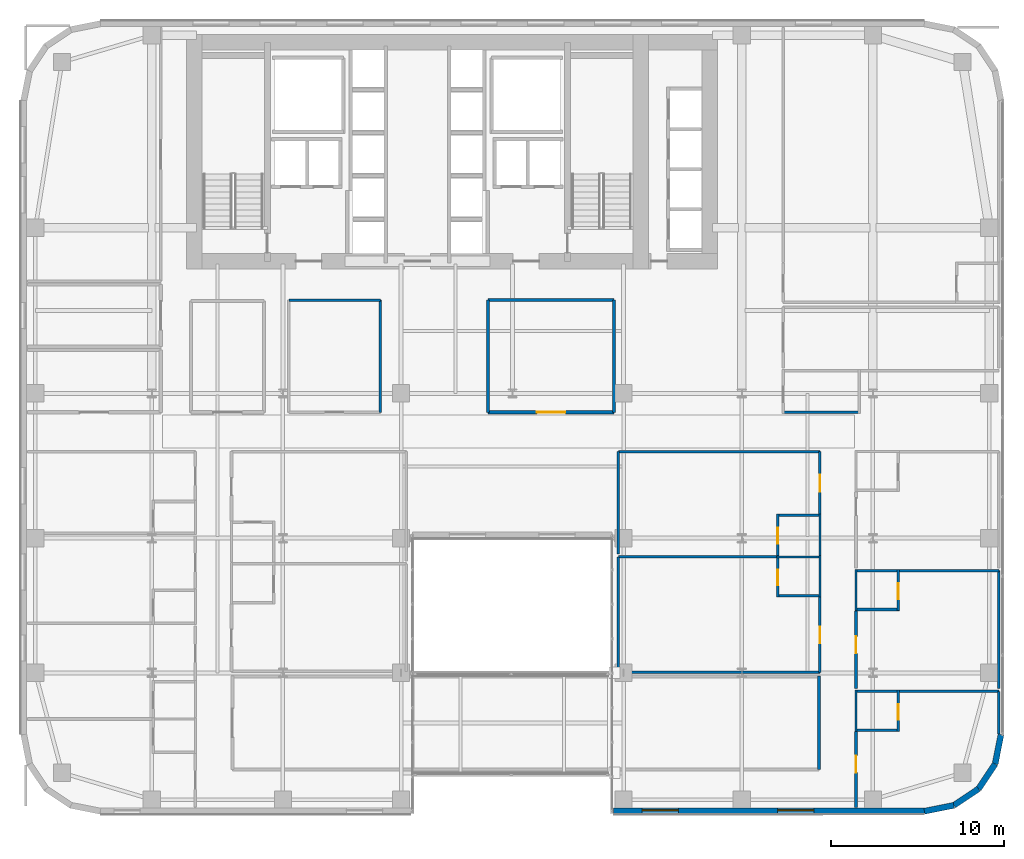
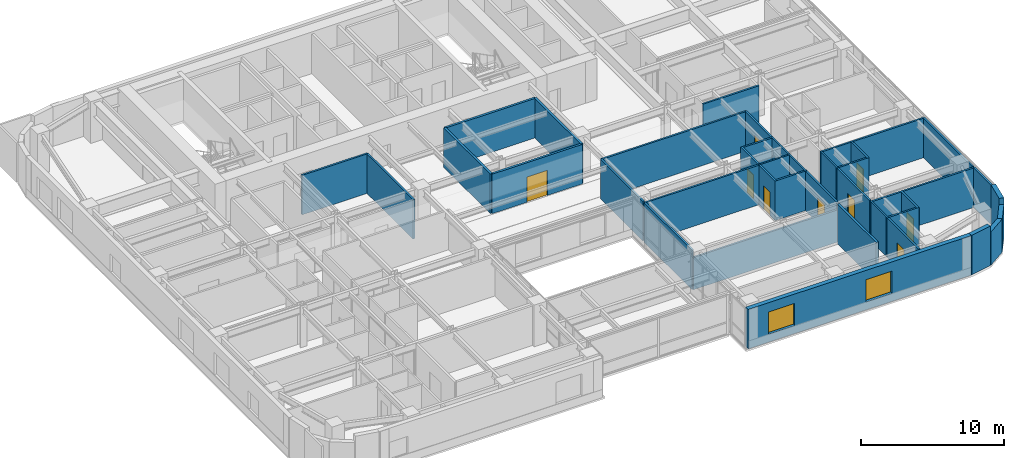
# One storey, part 23 of 31: 41 walls, 9 doors, 2 windows, 11 openings.
"""IFC4 building model written with IfcOpenShell, lengths in metres."""

from ifc_helpers import new_model, si_unit, direction, frame, frame_2d, origin, place, context, subcontext, project, spatial, rectangle, extrude, source, transform, mapped, material, layer, layer_set, type_object, type_shapes, element, fill, save


model = new_model("IFC4")

# Units and contexts
model_context = context("Model", 3, precision=1e-05, world=origin(), true_north=direction((0.0, 1.0)))
body_context = subcontext(model_context, "Body", "Model", "MODEL_VIEW")
ifc_project = project(units=[si_unit("LENGTHUNIT", "METRE"), si_unit("AREAUNIT", "SQUARE_METRE"), si_unit("VOLUMEUNIT", "CUBIC_METRE"), si_unit("PLANEANGLEUNIT", "RADIAN"), si_unit("MASSUNIT", "GRAM", prefix="KILO")], contexts=[model_context])

# Site, building, storey
site_placement = place(None, origin())
site = spatial("IfcSite", under=ifc_project, at=site_placement, CompositionType="ELEMENT")
building_placement = place(site_placement, origin())
building = spatial("IfcBuilding", under=site, at=building_placement, Name="Tolvann Quenvar Hotel", CompositionType="ELEMENT")
storey_placement = place(building_placement, frame((0.0, 0.0, 74.60009765625)))
storey = spatial("IfcBuildingStorey", under=building, at=storey_placement, Name="L18", CompositionType="ELEMENT", Elevation=74.60009765625)

# Wall, openings, windows
ifc_material_1 = material(Name="Kiln-fired red and buff architectural clay brickwork and terracotta masonry", Category="masonry")
ifc_layer_1 = layer(ifc_material_1, 0.35009765625)
ifc_layer_set_1 = layer_set([ifc_layer_1], Name="Kiln-fired red and buff architectural clay brickwork and terracotta masonry")
wall_type_1 = type_object("IfcWallType", Name="WALL_EXT_BRICK_350", PredefinedType="SOLIDWALL", material=ifc_layer_set_1)
wall_1_placement = place(storey_placement, frame((34.375, 0.175048828125, 0.0), z_axis=(0.0, 0.0, 1.0), x_axis=(1.0, 0.0, 0.0)))
wall_1 = element("IfcWall", 1, at=wall_1_placement, inside=storey, type_object=wall_type_1, Name="Exterior Chicago Brick Wall L18-E08", PredefinedType="SOLIDWALL", context=body_context, shape_type="SweptSolid", body=[
    extrude(rectangle(XDim=18.0078125, YDim=0.35009765625, at=frame_2d((9.00390625, 0.0))), origin(), (0.0, 0.0, 1.0), 3.369873046875),
])
opening_1_placement = place(wall_1_placement, frame((1.65087890625, 0.0, 0.679931640625)))
opening_1 = element("IfcOpeningElement", 2, at=opening_1_placement, cuts=wall_1, Name="Opening W-02", PredefinedType="OPENING", context=body_context, shape_type="SweptSolid", body=[
    extrude(rectangle(XDim=2.10009765625, YDim=1.89990234375, at=frame_2d((1.050048828125, 0.949951171875))), frame((0.0, 0.18505859375, 0.0), z_axis=(0.0, -1.0, 0.0), x_axis=(1.0, 0.0, 0.0)), (0.0, 0.0, 1.0), 0.3701171875),
])
opening_2_placement = place(wall_1_placement, frame((9.5048828125, 0.0, 0.679931640625)))
opening_2 = element("IfcOpeningElement", 3, at=opening_2_placement, cuts=wall_1, Name="Opening W-02", PredefinedType="OPENING", context=body_context, shape_type="SweptSolid", body=[
    extrude(rectangle(XDim=2.10009765625, YDim=1.89990234375, at=frame_2d((1.050048828125, 0.949951171875))), frame((0.0, 0.18505859375, 0.0), z_axis=(0.0, -1.0, 0.0), x_axis=(1.0, 0.0, 0.0)), (0.0, 0.0, 1.0), 0.3701171875),
])
ifc_material_2 = material(Name="Thermally broken bronze-anodised aluminium frame with double low-E glazing", Category="aluminium")
window_type = type_object("IfcWindowType", Name="WIN_CHI_2100x2050", PartitioningType="TRIPLE_PANEL_HORIZONTAL", PredefinedType="WINDOW", material=ifc_material_2)
shared_shape_1 = source(origin(), body_context, "Body", "SweptSolid", [
    extrude(rectangle(XDim=2.10009765625, YDim=1.89990234375, at=frame_2d((1.050048828125, 0.949951171875))), frame((0.0, 0.090087890625, 0.0), z_axis=(0.0, -1.0, 0.0), x_axis=(1.0, 0.0, 0.0)), (0.0, 0.0, 1.0), 0.06005859375),
])
type_shapes(window_type, [shared_shape_1])
window_1_placement = place(opening_1_placement, origin())
window_1 = element("IfcWindow", 4, at=window_1_placement, inside=storey, type_object=window_type, Name="Chicago Window W-02 (EW-L18-E08-W01)", OverallHeight=1.89990234375, OverallWidth=2.10009765625, PartitioningType="TRIPLE_PANEL_HORIZONTAL", PredefinedType="WINDOW", context=body_context, shape_type="MappedRepresentation", body=[
    mapped(shared_shape_1, transform((0.0, 0.0, 0.0), x_axis=(1.0, 0.0, 0.0), y_axis=(0.0, 1.0, 0.0), z_axis=(0.0, 0.0, 1.0), scale=1.0)),
])
fill(opening_1, window_1)
window_2_placement = place(opening_2_placement, origin())
window_2 = element("IfcWindow", 5, at=window_2_placement, inside=storey, type_object=window_type, Name="Chicago Window W-02 (EW-L18-E08-W02)", OverallHeight=1.89990234375, OverallWidth=2.10009765625, PartitioningType="TRIPLE_PANEL_HORIZONTAL", PredefinedType="WINDOW", context=body_context, shape_type="MappedRepresentation", body=[
    mapped(shared_shape_1, transform((0.0, 0.0, 0.0), x_axis=(1.0, 0.0, 0.0), y_axis=(0.0, 1.0, 0.0), z_axis=(0.0, 0.0, 1.0), scale=1.0)),
])
fill(opening_2, window_2)

# Walls
wall_2_placement = place(storey_placement, frame((52.3828125, 0.175048828125, 0.0), z_axis=(0.0, 0.0, 1.0), x_axis=(0.980800971659, 0.195011420161, 0.0)))
element("IfcWall", 6, at=wall_2_placement, inside=storey, type_object=wall_type_1, Name="Exterior Chicago Brick Wall L18-E09", PredefinedType="SOLIDWALL", context=body_context, shape_type="SweptSolid", body=[
    extrude(rectangle(XDim=1.74267578125, YDim=0.35009765625, at=frame_2d((0.871337890625, 0.0))), origin(), (0.0, 0.0, 1.0), 3.369873046875),
])
for number, where, z_axis, x_axis, name in (
    (7, (54.092041015625, 0.514892578125, 0.0), (0.0, 0.0, 1.0), (0.831483840845, 0.55554893791, 0.0), "Exterior Chicago Brick Wall L18-E10"),
    (8, (55.526611328125, 1.473388671875, 0.0), (0.0, 0.0, 1.0), (0.55554893791, 0.831483840845, 0.0), "Exterior Chicago Brick Wall L18-E11"),
):
    element("IfcWall", number, at=place(storey_placement, frame(where, z_axis=z_axis, x_axis=x_axis)), inside=storey, type_object=wall_type_1, Name=name, PredefinedType="SOLIDWALL", context=body_context, shape_type="SweptSolid", body=[
        extrude(rectangle(XDim=1.725341796875, YDim=0.35009765625, at=frame_2d((0.86279296875, 0.0))), origin(), (0.0, 0.0, 1.0), 2.831787109375),
    ])
wall_3_placement = place(storey_placement, frame((56.485107421875, 2.907958984375, 0.0), z_axis=(0.0, 0.0, 1.0), x_axis=(0.195011420161, 0.980800971659, 0.0)))
element("IfcWall", 9, at=wall_3_placement, inside=storey, type_object=wall_type_1, Name="Exterior Chicago Brick Wall L18-E12", PredefinedType="SOLIDWALL", context=body_context, shape_type="SweptSolid", body=[
    extrude(rectangle(XDim=1.74267578125, YDim=0.35009765625, at=frame_2d((0.871337890625, 0.0))), origin(), (0.0, 0.0, 1.0), 3.369873046875),
])

# Wall, opening, door
ifc_material_3 = material(Name="Acoustic twin-stud fire-rated gypsum plasterboard partition")
ifc_layer_2 = layer(ifc_material_3, 0.179931640625)
ifc_layer_set_2 = layer_set([ifc_layer_2], Name="Acoustic twin-stud fire-rated gypsum plasterboard partition")
wall_type_2 = type_object("IfcWallType", Name="WALL_PART_ACOUSTIC_180", PredefinedType="PARTITIONING", material=ifc_layer_set_2)
wall_4_placement = place(storey_placement, frame((27.10009765625, 23.300048828125, 0.0), z_axis=(0.0, 0.0, 1.0), x_axis=(1.0, 0.0, 0.0)))
wall_4 = element("IfcWall", 10, at=wall_4_placement, inside=storey, type_object=wall_type_2, Name="Interior Partition PT-SPC-L18-MSP-C-S", PredefinedType="PARTITIONING", context=body_context, shape_type="SweptSolid", body=[
    extrude(rectangle(XDim=7.2998046875, YDim=0.179931640625, at=frame_2d((3.64990234375, 0.0))), origin(), (0.0, 0.0, 1.0), 3.369873046875),
])
opening_3_placement = place(wall_4_placement, frame((2.824951171875, 0.0, 0.0)))
opening_3 = element("IfcOpeningElement", 11, at=opening_3_placement, cuts=wall_4, Name="Opening AD-01", PredefinedType="OPENING", context=body_context, shape_type="SweptSolid", body=[
    extrude(rectangle(XDim=1.64990234375, YDim=2.14990234375, at=frame_2d((0.824951171875, 1.074951171875))), frame((0.0, 0.10009765625, 0.0), z_axis=(0.0, -1.0, 0.0), x_axis=(1.0, 0.0, 0.0)), (0.0, 0.0, 1.0), 0.199951171875),
])
ifc_material_4 = material(Name="Solid-core American oak acoustic fire door leaf in steel frame", Category="steel")
door_type_1 = type_object("IfcDoorType", Name="DOOR_SALON_1650", OperationType="NOTDEFINED", PredefinedType="DOOR", material=ifc_material_4)
shared_shape_2 = source(origin(), body_context, "Body", "SweptSolid", [
    extrude(rectangle(XDim=1.64990234375, YDim=2.14990234375, at=frame_2d((0.824951171875, 1.074951171875))), frame((0.0, 0.02490234375, 0.0), z_axis=(0.0, -1.0, 0.0), x_axis=(1.0, 0.0, 0.0)), (0.0, 0.0, 1.0), 0.050048828125),
])
type_shapes(door_type_1, [shared_shape_2])
door_1_placement = place(opening_3_placement, origin())
door_1 = element("IfcDoor", 12, at=door_1_placement, inside=storey, type_object=door_type_1, Name="Interior Door DOOR-SPC-L18-MSP-C", OperationType="DOUBLE_DOOR_SINGLE_SWING", OverallHeight=2.14990234375, OverallWidth=1.64990234375, PredefinedType="DOOR", context=body_context, shape_type="MappedRepresentation", body=[
    mapped(shared_shape_2, transform((0.0, 0.0, 0.0), x_axis=(1.0, 0.0, 0.0), y_axis=(0.0, 1.0, 0.0), z_axis=(0.0, 0.0, 1.0), scale=1.0)),
])
fill(opening_3, door_1)

# Walls
wall_5_placement = place(storey_placement, frame((27.10009765625, 29.800048828125, 0.0), z_axis=(0.0, 0.0, 1.0), x_axis=(1.0, 0.0, 0.0)))
element("IfcWall", 13, at=wall_5_placement, inside=storey, type_object=wall_type_2, Name="Interior Partition PT-SPC-L18-MSP-C-N", PredefinedType="PARTITIONING", context=body_context, shape_type="SweptSolid", body=[
    extrude(rectangle(XDim=7.2998046875, YDim=0.179931640625, at=frame_2d((3.64990234375, 0.0))), origin(), (0.0, 0.0, 1.0), 3.369873046875),
])
for number, where, z_axis, x_axis, name in (
    (14, (27.10009765625, 23.300048828125, 0.0), (0.0, 0.0, 1.0), (0.0, 1.0, 0.0), "Interior Partition PT-SPC-L18-MSP-C-W"),
    (15, (34.39990234375, 23.300048828125, 0.0), (0.0, 0.0, 1.0), (0.0, 1.0, 0.0), "Interior Partition PT-SPC-L18-MSP-C-E"),
):
    element("IfcWall", number, at=place(storey_placement, frame(where, z_axis=z_axis, x_axis=x_axis)), inside=storey, type_object=wall_type_2, Name=name, PredefinedType="PARTITIONING", context=body_context, shape_type="SweptSolid", body=[
        extrude(rectangle(XDim=6.5, YDim=0.179931640625, at=frame_2d((3.25, 0.0))), origin(), (0.0, 0.0, 1.0), 3.369873046875),
    ])
wall_6_placement = place(storey_placement, frame((46.280029296875, 2.60009765625, 0.0), z_axis=(0.0, 0.0, 1.0), x_axis=(0.0, 1.0, 0.0)))
element("IfcWall", 16, at=wall_6_placement, inside=storey, type_object=wall_type_2, Name="Interior Partition PT-SPC-L18-BRG-E", PredefinedType="PARTITIONING", context=body_context, shape_type="SweptSolid", body=[
    extrude(rectangle(XDim=5.39990234375, YDim=0.179931640625, at=frame_2d((2.699951171875, 0.0))), origin(), (0.0, 0.0, 1.0), 3.369873046875),
])
ifc_material_5 = material(Name="Moisture-resistant acoustic plumbing wall assembly")
ifc_layer_3 = layer(ifc_material_5, 0.1201171875)
ifc_layer_set_3 = layer_set([ifc_layer_3], Name="Moisture-resistant acoustic plumbing wall assembly")
wall_type_3 = type_object("IfcWallType", Name="WALL_PART_BATH_120", PredefinedType="PLUMBINGWALL", material=ifc_layer_set_3)
wall_7_placement = place(storey_placement, frame((43.81005859375, 14.919921875, 0.0), z_axis=(0.0, 0.0, 1.0), x_axis=(1.0, 0.0, 0.0)))
element("IfcWall", 17, at=wall_7_placement, inside=storey, type_object=wall_type_3, Name="Non-Rated Plumbing Partition PT-SPC-L18-ENS-EI01-N", PredefinedType="PLUMBINGWALL", context=body_context, shape_type="SweptSolid", body=[
    extrude(rectangle(XDim=2.58984375, YDim=0.1201171875, at=frame_2d((1.294921875, 0.0))), origin(), (0.0, 0.0, 1.0), 3.369873046875),
])
for number, where, z_axis, x_axis, name in (
    (18, (46.330078125, 12.60009765625, 0.0), (0.0, 0.0, 1.0), (0.0, 1.0, 0.0), "Non-Rated Plumbing Partition PT-SPC-L18-ENS-EI01-E"),
    (19, (46.330078125, 15.010009765625, 0.0), (0.0, 0.0, 1.0), (0.0, 1.0, 0.0), "Non-Rated Plumbing Partition PT-SPC-L18-ENS-EI02-E"),
    (20, (48.419921875, 4.800048828125, 0.0), (0.0, 0.0, 1.0), (0.0, 1.0, 0.0), "Non-Rated Plumbing Partition PT-SPC-L18-ENS-EO01-W"),
    (21, (48.419921875, 11.800048828125, 0.0), (0.0, 0.0, 1.0), (0.0, 1.0, 0.0), "Non-Rated Plumbing Partition PT-SPC-L18-ENS-EO02-W"),
):
    element("IfcWall", number, at=place(storey_placement, frame(where, z_axis=z_axis, x_axis=x_axis)), inside=storey, type_object=wall_type_3, Name=name, PredefinedType="PLUMBINGWALL", context=body_context, shape_type="SweptSolid", body=[
        extrude(rectangle(XDim=2.389892578125, YDim=0.1201171875, at=frame_2d((1.19482421875, 0.0))), origin(), (0.0, 0.0, 1.0), 3.369873046875),
    ])

# Wall, opening, door
ifc_layer_4 = layer(ifc_material_3, 0.14990234375)
ifc_layer_set_4 = layer_set([ifc_layer_4], Name="Acoustic twin-stud fire-rated gypsum plasterboard partition")
wall_type_4 = type_object("IfcWallType", Name="WALL_PART_SUITE_150", PredefinedType="PARTITIONING", material=ifc_layer_set_4)
wall_8_placement = place(storey_placement, frame((43.8798828125, 12.60009765625, 0.0), z_axis=(0.0, 0.0, 1.0), x_axis=(0.0, 1.0, 0.0)))
wall_8 = element("IfcWall", 22, at=wall_8_placement, inside=storey, type_object=wall_type_4, Name="Interior Partition PT-SPC-L18-ENS-EI01-ENT", PredefinedType="PARTITIONING", context=body_context, shape_type="SweptSolid", body=[
    extrude(rectangle(XDim=2.389892578125, YDim=0.14990234375, at=frame_2d((1.19482421875, 0.0))), origin(), (0.0, 0.0, 1.0), 3.369873046875),
])
opening_4_placement = place(wall_8_placement, frame((0.6650390625, 0.0, 0.0)))
opening_4 = element("IfcOpeningElement", 23, at=opening_4_placement, cuts=wall_8, Name="Opening WD-01", PredefinedType="OPENING", context=body_context, shape_type="SweptSolid", body=[
    extrude(rectangle(XDim=0.919921875, YDim=2.010009765625, at=frame_2d((0.4599609375, 1.0048828125))), frame((0.0, 0.0849609375, 0.0), z_axis=(0.0, -1.0, 0.0), x_axis=(1.0, 0.0, 0.0)), (0.0, 0.0, 1.0), 0.169921875),
])
door_type_2 = type_object("IfcDoorType", Name="DOOR_WC_920", OperationType="NOTDEFINED", PredefinedType="DOOR", material=ifc_material_4)
shared_shape_3 = source(origin(), body_context, "Body", "SweptSolid", [
    extrude(rectangle(XDim=0.919921875, YDim=2.010009765625, at=frame_2d((0.4599609375, 1.0048828125))), frame((0.0, 0.02490234375, 0.0), z_axis=(0.0, -1.0, 0.0), x_axis=(1.0, 0.0, 0.0)), (0.0, 0.0, 1.0), 0.050048828125),
])
type_shapes(door_type_2, [shared_shape_3])
door_2_placement = place(opening_4_placement, origin())
door_2 = element("IfcDoor", 24, at=door_2_placement, inside=storey, type_object=door_type_2, Name="Interior Door DOOR-SPC-L18-ENS-EI01", OperationType="SINGLE_SWING_RIGHT", OverallHeight=2.010009765625, OverallWidth=0.919921875, PredefinedType="DOOR", context=body_context, shape_type="MappedRepresentation", body=[
    mapped(shared_shape_3, transform((0.0, 0.0, 0.0), x_axis=(1.0, 0.0, 0.0), y_axis=(0.0, 1.0, 0.0), z_axis=(0.0, 0.0, 1.0), scale=1.0)),
])
fill(opening_4, door_2)

# Wall
wall_9_placement = place(storey_placement, frame((43.81005859375, 12.669921875, 0.0), z_axis=(0.0, 0.0, 1.0), x_axis=(1.0, 0.0, 0.0)))
element("IfcWall", 25, at=wall_9_placement, inside=storey, type_object=wall_type_4, Name="Interior Partition PT-SPC-L18-ENS-EI01-S", PredefinedType="PARTITIONING", context=body_context, shape_type="SweptSolid", body=[
    extrude(rectangle(XDim=2.58984375, YDim=0.14990234375, at=frame_2d((1.294921875, 0.0))), origin(), (0.0, 0.0, 1.0), 3.369873046875),
])

# Wall, opening, door
wall_10_placement = place(storey_placement, frame((43.8798828125, 15.010009765625, 0.0), z_axis=(0.0, 0.0, 1.0), x_axis=(0.0, 1.0, 0.0)))
wall_10 = element("IfcWall", 26, at=wall_10_placement, inside=storey, type_object=wall_type_4, Name="Interior Partition PT-SPC-L18-ENS-EI02-ENT", PredefinedType="PARTITIONING", context=body_context, shape_type="SweptSolid", body=[
    extrude(rectangle(XDim=2.389892578125, YDim=0.14990234375, at=frame_2d((1.19482421875, 0.0))), origin(), (0.0, 0.0, 1.0), 3.369873046875),
])
opening_5_placement = place(wall_10_placement, frame((0.6650390625, 0.0, 0.0)))
opening_5 = element("IfcOpeningElement", 27, at=opening_5_placement, cuts=wall_10, Name="Opening WD-01", PredefinedType="OPENING", context=body_context, shape_type="SweptSolid", body=[
    extrude(rectangle(XDim=0.919921875, YDim=2.010009765625, at=frame_2d((0.4599609375, 1.0048828125))), frame((0.0, 0.0849609375, 0.0), z_axis=(0.0, -1.0, 0.0), x_axis=(1.0, 0.0, 0.0)), (0.0, 0.0, 1.0), 0.169921875),
])
door_3_placement = place(opening_5_placement, origin())
door_3 = element("IfcDoor", 28, at=door_3_placement, inside=storey, type_object=door_type_2, Name="Interior Door DOOR-SPC-L18-ENS-EI02", OperationType="SINGLE_SWING_LEFT", OverallHeight=2.010009765625, OverallWidth=0.919921875, PredefinedType="DOOR", context=body_context, shape_type="MappedRepresentation", body=[
    mapped(shared_shape_3, transform((0.0, 0.0, 0.0), x_axis=(1.0, 0.0, 0.0), y_axis=(0.0, 1.0, 0.0), z_axis=(0.0, 0.0, 1.0), scale=1.0)),
])
fill(opening_5, door_3)

# Wall
wall_11_placement = place(storey_placement, frame((43.81005859375, 17.330078125, 0.0), z_axis=(0.0, 0.0, 1.0), x_axis=(1.0, 0.0, 0.0)))
element("IfcWall", 29, at=wall_11_placement, inside=storey, type_object=wall_type_4, Name="Interior Partition PT-SPC-L18-ENS-EI02-N", PredefinedType="PARTITIONING", context=body_context, shape_type="SweptSolid", body=[
    extrude(rectangle(XDim=2.58984375, YDim=0.14990234375, at=frame_2d((1.294921875, 0.0))), origin(), (0.0, 0.0, 1.0), 3.369873046875),
])

# Wall, opening, door
wall_12_placement = place(storey_placement, frame((50.8701171875, 4.800048828125, 0.0), z_axis=(0.0, 0.0, 1.0), x_axis=(0.0, 1.0, 0.0)))
wall_12 = element("IfcWall", 30, at=wall_12_placement, inside=storey, type_object=wall_type_4, Name="Interior Partition PT-SPC-L18-ENS-EO01-ENT", PredefinedType="PARTITIONING", context=body_context, shape_type="SweptSolid", body=[
    extrude(rectangle(XDim=2.389892578125, YDim=0.14990234375, at=frame_2d((1.19482421875, 0.0))), origin(), (0.0, 0.0, 1.0), 3.369873046875),
])
opening_6_placement = place(wall_12_placement, frame((0.6650390625, 0.0, 0.0)))
opening_6 = element("IfcOpeningElement", 31, at=opening_6_placement, cuts=wall_12, Name="Opening WD-01", PredefinedType="OPENING", context=body_context, shape_type="SweptSolid", body=[
    extrude(rectangle(XDim=0.919921875, YDim=2.010009765625, at=frame_2d((0.4599609375, 1.0048828125))), frame((0.0, 0.0849609375, 0.0), z_axis=(0.0, -1.0, 0.0), x_axis=(1.0, 0.0, 0.0)), (0.0, 0.0, 1.0), 0.169921875),
])
door_4_placement = place(opening_6_placement, origin())
door_4 = element("IfcDoor", 32, at=door_4_placement, inside=storey, type_object=door_type_2, Name="Interior Door DOOR-SPC-L18-ENS-EO01", OperationType="SINGLE_SWING_RIGHT", OverallHeight=2.010009765625, OverallWidth=0.919921875, PredefinedType="DOOR", context=body_context, shape_type="MappedRepresentation", body=[
    mapped(shared_shape_3, transform((0.0, 0.0, 0.0), x_axis=(1.0, 0.0, 0.0), y_axis=(0.0, 1.0, 0.0), z_axis=(0.0, 0.0, 1.0), scale=1.0)),
])
fill(opening_6, door_4)

# Walls
for number, where, z_axis, x_axis, name in (
    (33, (48.35009765625, 4.8701171875, 0.0), (0.0, 0.0, 1.0), (1.0, 0.0, 0.0), "Interior Partition PT-SPC-L18-ENS-EO01-S"),
    (34, (48.35009765625, 7.1201171875, 0.0), (0.0, 0.0, 1.0), (1.0, 0.0, 0.0), "Interior Partition PT-SPC-L18-ENS-EO01-N"),
):
    element("IfcWall", number, at=place(storey_placement, frame(where, z_axis=z_axis, x_axis=x_axis)), inside=storey, type_object=wall_type_4, Name=name, PredefinedType="PARTITIONING", context=body_context, shape_type="SweptSolid", body=[
        extrude(rectangle(XDim=2.58984375, YDim=0.14990234375, at=frame_2d((1.294921875, 0.0))), origin(), (0.0, 0.0, 1.0), 3.369873046875),
    ])

# Wall, opening, door
wall_13_placement = place(storey_placement, frame((50.8701171875, 11.800048828125, 0.0), z_axis=(0.0, 0.0, 1.0), x_axis=(0.0, 1.0, 0.0)))
wall_13 = element("IfcWall", 35, at=wall_13_placement, inside=storey, type_object=wall_type_4, Name="Interior Partition PT-SPC-L18-ENS-EO02-ENT", PredefinedType="PARTITIONING", context=body_context, shape_type="SweptSolid", body=[
    extrude(rectangle(XDim=2.389892578125, YDim=0.14990234375, at=frame_2d((1.19482421875, 0.0))), origin(), (0.0, 0.0, 1.0), 3.369873046875),
])
opening_7_placement = place(wall_13_placement, frame((0.6650390625, 0.0, 0.0)))
opening_7 = element("IfcOpeningElement", 36, at=opening_7_placement, cuts=wall_13, Name="Opening WD-01", PredefinedType="OPENING", context=body_context, shape_type="SweptSolid", body=[
    extrude(rectangle(XDim=0.919921875, YDim=2.010009765625, at=frame_2d((0.4599609375, 1.0048828125))), frame((0.0, 0.0849609375, 0.0), z_axis=(0.0, -1.0, 0.0), x_axis=(1.0, 0.0, 0.0)), (0.0, 0.0, 1.0), 0.169921875),
])
door_5_placement = place(opening_7_placement, origin())
door_5 = element("IfcDoor", 37, at=door_5_placement, inside=storey, type_object=door_type_2, Name="Interior Door DOOR-SPC-L18-ENS-EO02", OperationType="SINGLE_SWING_LEFT", OverallHeight=2.010009765625, OverallWidth=0.919921875, PredefinedType="DOOR", context=body_context, shape_type="MappedRepresentation", body=[
    mapped(shared_shape_3, transform((0.0, 0.0, 0.0), x_axis=(1.0, 0.0, 0.0), y_axis=(0.0, 1.0, 0.0), z_axis=(0.0, 0.0, 1.0), scale=1.0)),
])
fill(opening_7, door_5)

# Walls
for number, where, z_axis, x_axis, name in (
    (38, (48.35009765625, 11.8701171875, 0.0), (0.0, 0.0, 1.0), (1.0, 0.0, 0.0), "Interior Partition PT-SPC-L18-ENS-EO02-S"),
    (39, (48.35009765625, 14.1201171875, 0.0), (0.0, 0.0, 1.0), (1.0, 0.0, 0.0), "Interior Partition PT-SPC-L18-ENS-EO02-N"),
):
    element("IfcWall", number, at=place(storey_placement, frame(where, z_axis=z_axis, x_axis=x_axis)), inside=storey, type_object=wall_type_4, Name=name, PredefinedType="PARTITIONING", context=body_context, shape_type="SweptSolid", body=[
        extrude(rectangle(XDim=2.58984375, YDim=0.14990234375, at=frame_2d((1.294921875, 0.0))), origin(), (0.0, 0.0, 1.0), 3.369873046875),
    ])

# Wall, opening, door
wall_14_placement = place(storey_placement, frame((46.330078125, 8.22998046875, 0.0), z_axis=(0.0, 0.0, 1.0), x_axis=(0.0, 1.0, 0.0)))
wall_14 = element("IfcWall", 40, at=wall_14_placement, inside=storey, type_object=wall_type_4, Name="Interior Partition PT-SPC-L18-RM-EI01-ENT", PredefinedType="PARTITIONING", context=body_context, shape_type="SweptSolid", body=[
    extrude(rectangle(XDim=4.360107421875, YDim=0.14990234375, at=frame_2d((2.18017578125, 0.0))), origin(), (0.0, 0.0, 1.0), 3.369873046875),
])
opening_8_placement = place(wall_14_placement, frame((1.669921875, 0.0, 0.0)))
opening_8 = element("IfcOpeningElement", 41, at=opening_8_placement, cuts=wall_14, Name="Opening SD-01", PredefinedType="OPENING", context=body_context, shape_type="SweptSolid", body=[
    extrude(rectangle(XDim=0.97998046875, YDim=2.1201171875, at=frame_2d((0.489990234375, 1.06005859375))), frame((0.0, 0.0849609375, 0.0), z_axis=(0.0, -1.0, 0.0), x_axis=(1.0, 0.0, 0.0)), (0.0, 0.0, 1.0), 0.169921875),
])
door_type_3 = type_object("IfcDoorType", Name="DOOR_SUITE_980", OperationType="NOTDEFINED", PredefinedType="DOOR", material=ifc_material_4)
shared_shape_4 = source(origin(), body_context, "Body", "SweptSolid", [
    extrude(rectangle(XDim=0.97998046875, YDim=2.1201171875, at=frame_2d((0.489990234375, 1.06005859375))), frame((0.0, 0.02490234375, 0.0), z_axis=(0.0, -1.0, 0.0), x_axis=(1.0, 0.0, 0.0)), (0.0, 0.0, 1.0), 0.050048828125),
])
type_shapes(door_type_3, [shared_shape_4])
door_6_placement = place(opening_8_placement, origin())
door_6 = element("IfcDoor", 42, at=door_6_placement, inside=storey, type_object=door_type_3, Name="Interior Door DOOR-SPC-L18-RM-EI01", OperationType="SINGLE_SWING_RIGHT", OverallHeight=2.1201171875, OverallWidth=0.97998046875, PredefinedType="DOOR", context=body_context, shape_type="MappedRepresentation", body=[
    mapped(shared_shape_4, transform((0.0, 0.0, 0.0), x_axis=(1.0, 0.0, 0.0), y_axis=(0.0, 1.0, 0.0), z_axis=(0.0, 0.0, 1.0), scale=1.0)),
])
fill(opening_8, door_6)

# Walls
wall_15_placement = place(storey_placement, frame((34.64990234375, 8.22998046875, 0.0), z_axis=(0.0, 0.0, 1.0), x_axis=(1.0, 0.0, 0.0)))
element("IfcWall", 43, at=wall_15_placement, inside=storey, type_object=wall_type_4, Name="Interior Partition PT-SPC-L18-RM-EI01-E1", PredefinedType="PARTITIONING", context=body_context, shape_type="SweptSolid", body=[
    extrude(rectangle(XDim=11.68017578125, YDim=0.14990234375, at=frame_2d((5.840087890625, 0.0))), origin(), (0.0, 0.0, 1.0), 2.747802734375),
])
wall_16_placement = place(storey_placement, frame((34.64990234375, 14.919921875, 0.0), z_axis=(0.0, 0.0, 1.0), x_axis=(1.0, 0.0, 0.0)))
element("IfcWall", 44, at=wall_16_placement, inside=storey, type_object=wall_type_4, Name="Interior Partition PT-SPC-L18-RM-EI01-E5", PredefinedType="PARTITIONING", context=body_context, shape_type="SweptSolid", body=[
    extrude(rectangle(XDim=9.210205078125, YDim=0.14990234375, at=frame_2d((4.60498046875, 0.0))), origin(), (0.0, 0.0, 1.0), 3.369873046875),
])
wall_17_placement = place(storey_placement, frame((34.64990234375, 8.22998046875, 0.0), z_axis=(0.0, 0.0, 1.0), x_axis=(0.0, 1.0, 0.0)))
element("IfcWall", 45, at=wall_17_placement, inside=storey, type_object=wall_type_4, Name="Interior Partition PT-SPC-L18-RM-EI01-E6", PredefinedType="PARTITIONING", context=body_context, shape_type="SweptSolid", body=[
    extrude(rectangle(XDim=6.68994140625, YDim=0.14990234375, at=frame_2d((3.344970703125, 0.0))), origin(), (0.0, 0.0, 1.0), 3.369873046875),
])

# Wall, opening, door
wall_18_placement = place(storey_placement, frame((46.330078125, 17.409912109375, 0.0), z_axis=(0.0, 0.0, 1.0), x_axis=(0.0, 1.0, 0.0)))
wall_18 = element("IfcWall", 46, at=wall_18_placement, inside=storey, type_object=wall_type_4, Name="Interior Partition PT-SPC-L18-RM-EI02-ENT", PredefinedType="PARTITIONING", context=body_context, shape_type="SweptSolid", body=[
    extrude(rectangle(XDim=3.610107421875, YDim=0.14990234375, at=frame_2d((1.80517578125, 0.0))), origin(), (0.0, 0.0, 1.0), 3.369873046875),
])
opening_9_placement = place(wall_18_placement, frame((1.294921875, 0.0, 0.0)))
opening_9 = element("IfcOpeningElement", 47, at=opening_9_placement, cuts=wall_18, Name="Opening SD-01", PredefinedType="OPENING", context=body_context, shape_type="SweptSolid", body=[
    extrude(rectangle(XDim=0.97998046875, YDim=2.1201171875, at=frame_2d((0.489990234375, 1.06005859375))), frame((0.0, 0.0849609375, 0.0), z_axis=(0.0, -1.0, 0.0), x_axis=(1.0, 0.0, 0.0)), (0.0, 0.0, 1.0), 0.169921875),
])
door_7_placement = place(opening_9_placement, origin())
door_7 = element("IfcDoor", 48, at=door_7_placement, inside=storey, type_object=door_type_3, Name="Interior Door DOOR-SPC-L18-RM-EI02", OperationType="SINGLE_SWING_LEFT", OverallHeight=2.1201171875, OverallWidth=0.97998046875, PredefinedType="DOOR", context=body_context, shape_type="MappedRepresentation", body=[
    mapped(shared_shape_4, transform((0.0, 0.0, 0.0), x_axis=(1.0, 0.0, 0.0), y_axis=(0.0, 1.0, 0.0), z_axis=(0.0, 0.0, 1.0), scale=1.0)),
])
fill(opening_9, door_7)

# Walls
wall_19_placement = place(storey_placement, frame((34.64990234375, 21.02001953125, 0.0), z_axis=(0.0, 0.0, 1.0), x_axis=(1.0, 0.0, 0.0)))
element("IfcWall", 49, at=wall_19_placement, inside=storey, type_object=wall_type_4, Name="Interior Partition PT-SPC-L18-RM-EI02-E5", PredefinedType="PARTITIONING", context=body_context, shape_type="SweptSolid", body=[
    extrude(rectangle(XDim=11.68017578125, YDim=0.14990234375, at=frame_2d((5.840087890625, 0.0))), origin(), (0.0, 0.0, 1.0), 3.369873046875),
])
wall_20_placement = place(storey_placement, frame((34.64990234375, 15.080078125, 0.0), z_axis=(0.0, 0.0, 1.0), x_axis=(0.0, 1.0, 0.0)))
element("IfcWall", 50, at=wall_20_placement, inside=storey, type_object=wall_type_4, Name="Interior Partition PT-SPC-L18-RM-EI02-E6", PredefinedType="PARTITIONING", context=body_context, shape_type="SweptSolid", body=[
    extrude(rectangle(XDim=5.93994140625, YDim=0.14990234375, at=frame_2d((2.969970703125, 0.0))), origin(), (0.0, 0.0, 1.0), 3.369873046875),
])

# Wall, opening, door
wall_21_placement = place(storey_placement, frame((48.419921875, 0.405029296875, 0.0), z_axis=(0.0, 0.0, 1.0), x_axis=(0.0, 1.0, 0.0)))
wall_21 = element("IfcWall", 51, at=wall_21_placement, inside=storey, type_object=wall_type_4, Name="Interior Partition PT-SPC-L18-RM-EO01-ENT", PredefinedType="PARTITIONING", context=body_context, shape_type="SweptSolid", body=[
    extrude(rectangle(XDim=4.385009765625, YDim=0.14990234375, at=frame_2d((2.1923828125, 0.0))), origin(), (0.0, 0.0, 1.0), 3.369873046875),
])
opening_10_placement = place(wall_21_placement, frame((2.010009765625, 0.0, 0.0)))
opening_10 = element("IfcOpeningElement", 52, at=opening_10_placement, cuts=wall_21, Name="Opening SD-01", PredefinedType="OPENING", context=body_context, shape_type="SweptSolid", body=[
    extrude(rectangle(XDim=0.97998046875, YDim=2.1201171875, at=frame_2d((0.489990234375, 1.06005859375))), frame((0.0, 0.0849609375, 0.0), z_axis=(0.0, -1.0, 0.0), x_axis=(1.0, 0.0, 0.0)), (0.0, 0.0, 1.0), 0.169921875),
])
door_8_placement = place(opening_10_placement, origin())
door_8 = element("IfcDoor", 53, at=door_8_placement, inside=storey, type_object=door_type_3, Name="Interior Door DOOR-SPC-L18-RM-EO01", OperationType="SINGLE_SWING_RIGHT", OverallHeight=2.1201171875, OverallWidth=0.97998046875, PredefinedType="DOOR", context=body_context, shape_type="MappedRepresentation", body=[
    mapped(shared_shape_4, transform((0.0, 0.0, 0.0), x_axis=(1.0, 0.0, 0.0), y_axis=(0.0, 1.0, 0.0), z_axis=(0.0, 0.0, 1.0), scale=1.0)),
])
fill(opening_10, door_8)

# Walls
wall_22_placement = place(storey_placement, frame((56.699951171875, 4.64208984375, 0.0), z_axis=(0.0, 0.0, 1.0), x_axis=(0.0, 1.0, 0.0)))
element("IfcWall", 54, at=wall_22_placement, inside=storey, type_object=wall_type_4, Name="Interior Partition PT-SPC-L18-RM-EO01-E2", PredefinedType="PARTITIONING", context=body_context, shape_type="SweptSolid", body=[
    extrude(rectangle(XDim=2.47802734375, YDim=0.14990234375, at=frame_2d((1.239013671875, 0.0))), origin(), (0.0, 0.0, 1.0), 3.369873046875),
])
wall_23_placement = place(storey_placement, frame((50.889892578125, 7.1201171875, 0.0), z_axis=(0.0, 0.0, 1.0), x_axis=(1.0, 0.0, 0.0)))
element("IfcWall", 55, at=wall_23_placement, inside=storey, type_object=wall_type_4, Name="Interior Partition PT-SPC-L18-RM-EO01-E3", PredefinedType="PARTITIONING", context=body_context, shape_type="SweptSolid", body=[
    extrude(rectangle(XDim=5.81005859375, YDim=0.14990234375, at=frame_2d((2.905029296875, 0.0))), origin(), (0.0, 0.0, 1.0), 3.369873046875),
])

# Wall, opening, door
wall_24_placement = place(storey_placement, frame((48.419921875, 7.280029296875, 0.0), z_axis=(0.0, 0.0, 1.0), x_axis=(0.0, 1.0, 0.0)))
wall_24 = element("IfcWall", 56, at=wall_24_placement, inside=storey, type_object=wall_type_4, Name="Interior Partition PT-SPC-L18-RM-EO02-ENT", PredefinedType="PARTITIONING", context=body_context, shape_type="SweptSolid", body=[
    extrude(rectangle(XDim=4.510009765625, YDim=0.14990234375, at=frame_2d((2.2548828125, 0.0))), origin(), (0.0, 0.0, 1.0), 3.369873046875),
])
opening_11_placement = place(wall_24_placement, frame((2.044921875, 0.0, 0.0)))
opening_11 = element("IfcOpeningElement", 57, at=opening_11_placement, cuts=wall_24, Name="Opening SD-01", PredefinedType="OPENING", context=body_context, shape_type="SweptSolid", body=[
    extrude(rectangle(XDim=0.97998046875, YDim=2.1201171875, at=frame_2d((0.489990234375, 1.06005859375))), frame((0.0, 0.0849609375, 0.0), z_axis=(0.0, -1.0, 0.0), x_axis=(1.0, 0.0, 0.0)), (0.0, 0.0, 1.0), 0.169921875),
])
door_9_placement = place(opening_11_placement, origin())
door_9 = element("IfcDoor", 58, at=door_9_placement, inside=storey, type_object=door_type_3, Name="Interior Door DOOR-SPC-L18-RM-EO02", OperationType="SINGLE_SWING_LEFT", OverallHeight=2.1201171875, OverallWidth=0.97998046875, PredefinedType="DOOR", context=body_context, shape_type="MappedRepresentation", body=[
    mapped(shared_shape_4, transform((0.0, 0.0, 0.0), x_axis=(1.0, 0.0, 0.0), y_axis=(0.0, 1.0, 0.0), z_axis=(0.0, 0.0, 1.0), scale=1.0)),
])
fill(opening_11, door_9)

# Walls
wall_25_placement = place(storey_placement, frame((56.699951171875, 7.280029296875, 0.0), z_axis=(0.0, 0.0, 1.0), x_axis=(0.0, 1.0, 0.0)))
element("IfcWall", 59, at=wall_25_placement, inside=storey, type_object=wall_type_4, Name="Interior Partition PT-SPC-L18-RM-EO02-E2", PredefinedType="PARTITIONING", context=body_context, shape_type="SweptSolid", body=[
    extrude(rectangle(XDim=6.840087890625, YDim=0.14990234375, at=frame_2d((3.419921875, 0.0))), origin(), (0.0, 0.0, 1.0), 3.369873046875),
])
wall_26_placement = place(storey_placement, frame((50.889892578125, 14.1201171875, 0.0), z_axis=(0.0, 0.0, 1.0), x_axis=(1.0, 0.0, 0.0)))
element("IfcWall", 60, at=wall_26_placement, inside=storey, type_object=wall_type_4, Name="Interior Partition PT-SPC-L18-RM-EO02-E3", PredefinedType="PARTITIONING", context=body_context, shape_type="SweptSolid", body=[
    extrude(rectangle(XDim=5.81005859375, YDim=0.14990234375, at=frame_2d((2.905029296875, 0.0))), origin(), (0.0, 0.0, 1.0), 3.369873046875),
])
wall_27_placement = place(storey_placement, frame((44.1298828125, 23.300048828125, 0.0), z_axis=(0.0, 0.0, 1.0), x_axis=(1.0, 0.0, 0.0)))
element("IfcWall", 61, at=wall_27_placement, inside=storey, type_object=wall_type_4, Name="Interior Partition PT-SPC-L18-WCA-S", PredefinedType="PARTITIONING", context=body_context, shape_type="SweptSolid", body=[
    extrude(rectangle(XDim=4.5400390625, YDim=0.14990234375, at=frame_2d((2.27001953125, 0.0))), origin(), (0.0, 0.0, 1.0), 3.369873046875),
])
wall_28_placement = place(storey_placement, frame((15.550048828125, 29.800048828125, 0.0), z_axis=(0.0, 0.0, 1.0), x_axis=(1.0, 0.0, 0.0)))
element("IfcWall", 62, at=wall_28_placement, inside=storey, type_object=wall_type_4, Name="Interior Partition PT-SPC-L18-MSP-N-N", PredefinedType="PARTITIONING", context=body_context, shape_type="SweptSolid", body=[
    extrude(rectangle(XDim=5.300048828125, YDim=0.14990234375, at=frame_2d((2.64990234375, 0.0))), origin(), (0.0, 0.0, 1.0), 3.369873046875),
])
wall_29_placement = place(storey_placement, frame((20.85009765625, 23.300048828125, 0.0), z_axis=(0.0, 0.0, 1.0), x_axis=(0.0, 1.0, 0.0)))
element("IfcWall", 63, at=wall_29_placement, inside=storey, type_object=wall_type_4, Name="Interior Partition PT-SPC-L18-MSP-N-E", PredefinedType="PARTITIONING", context=body_context, shape_type="SweptSolid", body=[
    extrude(rectangle(XDim=6.5, YDim=0.14990234375, at=frame_2d((3.25, 0.0))), origin(), (0.0, 0.0, 1.0), 3.369873046875),
])

save(model, "model.ifc")
